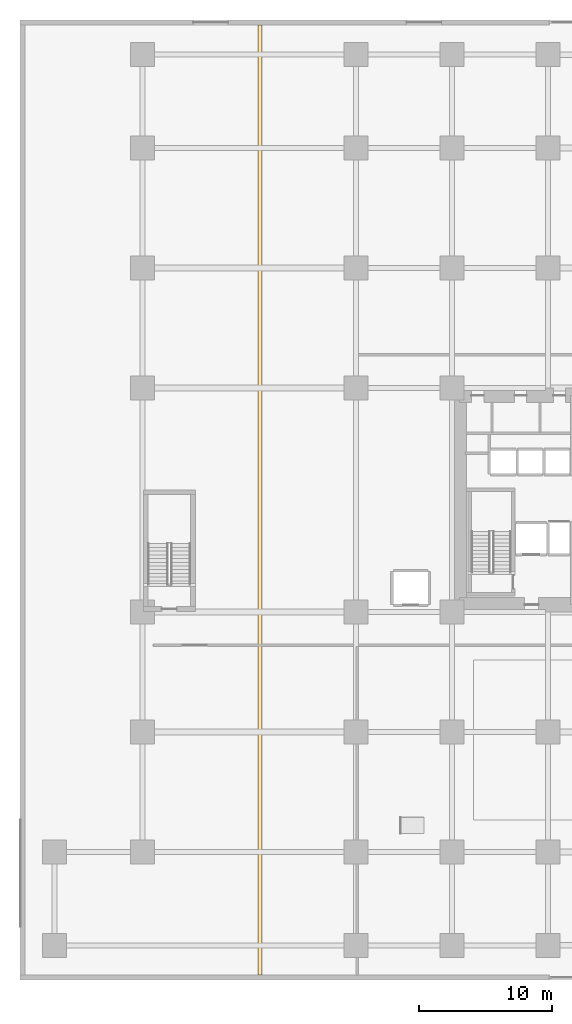
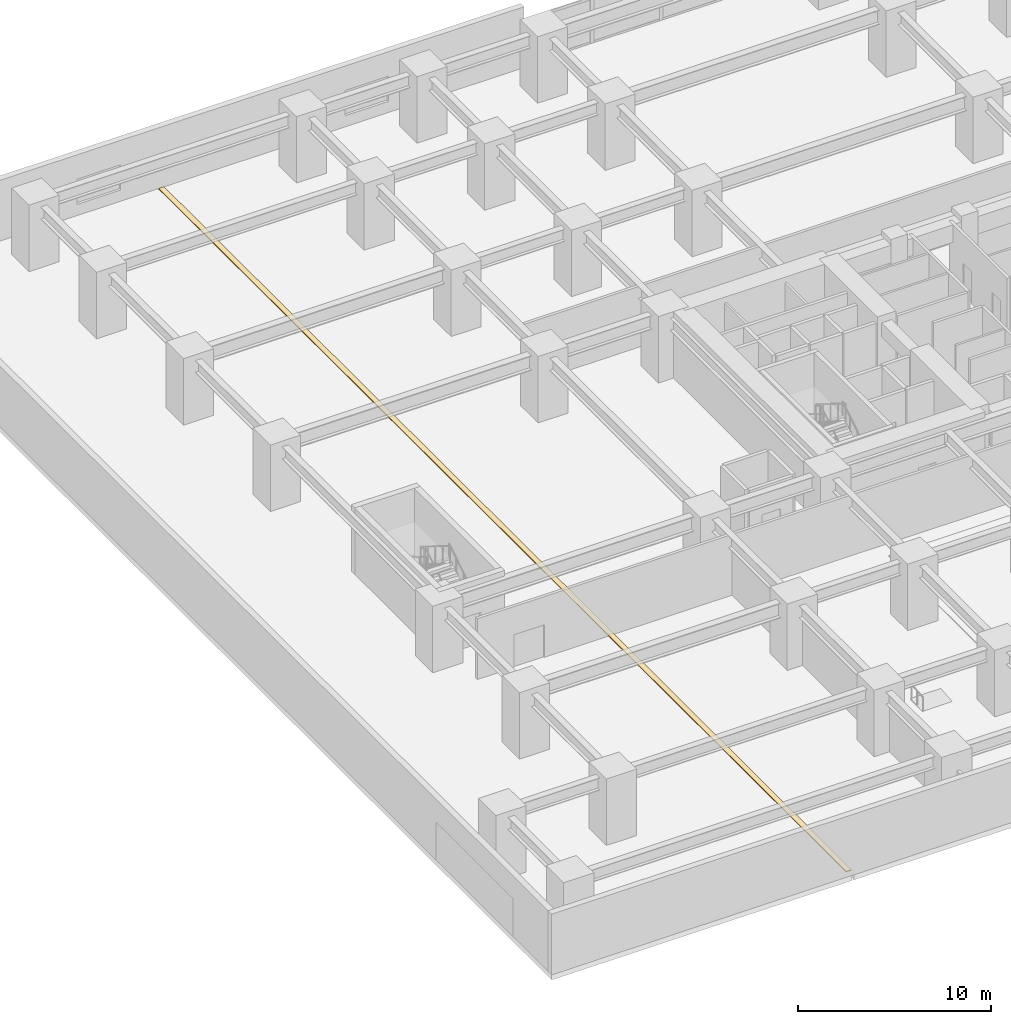
# One storey, part 18 of 22: 1 covering.
"""IFC4 building model written with IfcOpenShell, lengths in metres."""

import ifcopenshell
import ifcopenshell.guid

model = None  # the IFC model being written
_history = None  # IfcOwnerHistory: only IFC2X3 demands one
_inside = {}  # id of a spatial element -> (the spatial element, [elements in it])
_under = {}  # id of a project, library or spatial element -> (it, [spatial elements below it])
_declared = {}  # id of a project -> (the project, [libraries it declares])
_typed = {}  # id of a type object -> (the type object, [elements of that type])
_made_of = {}  # id of a material, layer set ... -> (it, [elements and type objects made of it])


def new_model(schema):
    """Start an empty IFC model of exactly this schema.

    Asked for "IFC4X3", IfcOpenShell would pick the latest addendum, in which some entities
    have other attributes; the version numbers below select the first issue.
    IFC2X3 requires an IfcOwnerHistory on every rooted entity: one is made here for all.
    """
    global model, _history
    if schema == "IFC4X3":
        model = ifcopenshell.file(schema_version=(4, 3, 0, 0))
    else:
        model = ifcopenshell.file(schema=schema)
    _inside.clear()
    _under.clear()
    _declared.clear()
    _typed.clear()
    _made_of.clear()
    _history = None
    if model.schema == "IFC2X3":
        org = make("IfcOrganization", Name="unknown")
        user = make(
            "IfcPersonAndOrganization",
            ThePerson=make("IfcPerson", FamilyName="unknown"),
            TheOrganization=org,
        )
        app = make(
            "IfcApplication",
            ApplicationDeveloper=org,
            Version="unknown",
            ApplicationFullName="unknown",
            ApplicationIdentifier="unknown",
        )
        _history = make(
            "IfcOwnerHistory",
            OwningUser=user,
            OwningApplication=app,
            ChangeAction="ADDED",
            CreationDate=0,
        )
    return model


def make(cls, **values):
    """One entity of the class cls with the attributes given. An attribute that is None is left unset."""
    return model.create_entity(
        cls, **{name: value for name, value in values.items() if value is not None}
    )


def rooted(cls, **values):
    """An entity with a GlobalId (a new one), such as an element, a storey or a relation."""
    return make(cls, GlobalId=ifcopenshell.guid.new(), OwnerHistory=_history, **values)


def si_unit(unit_type, name, prefix=None):
    """IfcSIUnit, for example si_unit("LENGTHUNIT", "METRE", prefix="MILLI")."""
    return make("IfcSIUnit", UnitType=unit_type, Prefix=prefix, Name=name)


def assignment(units):
    """IfcUnitAssignment: the units of a project."""
    return None if units is None else make("IfcUnitAssignment", Units=units)


def point(xyz):
    """IfcCartesianPoint."""
    return None if xyz is None else make("IfcCartesianPoint", Coordinates=xyz)


def direction(xyz):
    """IfcDirection."""
    return None if xyz is None else make("IfcDirection", DirectionRatios=xyz)


def frame(location, z_axis=None, x_axis=None):
    """IfcAxis2Placement3D, a coordinate frame: its origin and axes. An axis left out is left unset."""
    return make(
        "IfcAxis2Placement3D",
        Location=point(location),
        Axis=direction(z_axis),
        RefDirection=direction(x_axis),
    )


def origin():
    """The frame at (0, 0, 0) with its axes left unset."""
    return frame((0.0, 0.0, 0.0))


def place(relative_to, where):
    """IfcLocalPlacement: puts the frame where relative to a parent placement (None: the world)."""
    return make(
        "IfcLocalPlacement", PlacementRelTo=relative_to, RelativePlacement=where
    )


def context(
    kind, dimensions, precision=None, world=None, true_north=None, identifier=None
):
    """IfcGeometricRepresentationContext, for example the 3D "Model" context."""
    return make(
        "IfcGeometricRepresentationContext",
        ContextIdentifier=identifier,
        ContextType=kind,
        CoordinateSpaceDimension=dimensions,
        Precision=precision,
        WorldCoordinateSystem=world,
        TrueNorth=true_north,
    )


def subcontext(parent, identifier, kind, view, scale=None):
    """IfcGeometricRepresentationSubContext, for example "Body" below "Model"."""
    return make(
        "IfcGeometricRepresentationSubContext",
        ContextIdentifier=identifier,
        ContextType=kind,
        ParentContext=parent,
        TargetScale=scale,
        TargetView=view,
    )


def project(units=None, contexts=None):
    """IfcProject with its units and contexts."""
    return rooted(
        "IfcProject",
        Name="project",
        RepresentationContexts=contexts,
        UnitsInContext=assignment(units),
    )


def spatial(cls, under=None, at=None, **own):
    """A site, building, storey or space (cls), placed at a placement, below another one or the project."""
    s = rooted(cls, ObjectPlacement=at, **own)
    if under is not None:
        _under.setdefault(under.id(), (under, []))[1].append(s)
    return s


def polyline(points):
    """IfcPolyline through the points."""
    return make("IfcPolyline", Points=[point(p) for p in points])


def outline(outer, holes=None, kind="AREA"):
    """IfcArbitraryClosedProfileDef: a profile drawn as a closed curve; with holes, ...WithVoids."""
    if holes is None:
        return make("IfcArbitraryClosedProfileDef", ProfileType=kind, OuterCurve=outer)
    return make(
        "IfcArbitraryProfileDefWithVoids",
        ProfileType=kind,
        OuterCurve=outer,
        InnerCurves=holes,
    )


def extrude(swept, where, along, depth):
    """IfcExtrudedAreaSolid: the profile swept, set in the frame where, extruded along a direction by depth."""
    return make(
        "IfcExtrudedAreaSolid",
        SweptArea=swept,
        Position=where,
        ExtrudedDirection=direction(along),
        Depth=depth,
    )


def shape(context_of_items, identifier, shape_type, items):
    """IfcShapeRepresentation: the items that make up one representation, for example the "Body"."""
    return make(
        "IfcShapeRepresentation",
        ContextOfItems=context_of_items,
        RepresentationIdentifier=identifier,
        RepresentationType=shape_type,
        Items=items,
    )


def material(Name=None, Category=None):
    """IfcMaterial."""
    return make("IfcMaterial", Name=Name, Category=Category)


def layer(
    of_material, thickness, ventilated=None, Name=None, Category=None, Priority=None
):
    """IfcMaterialLayer: one layer of a wall or slab, of a material (None: an air gap)."""
    return make(
        "IfcMaterialLayer",
        Material=of_material,
        LayerThickness=thickness,
        IsVentilated=ventilated,
        Name=Name,
        Category=Category,
        Priority=Priority,
    )


def layer_set(layers, Name=None):
    """IfcMaterialLayerSet."""
    return make("IfcMaterialLayerSet", MaterialLayers=layers, LayerSetName=Name)


def made_of(thing, what):
    """Note that an element or type object is made of a material, layer set ...; save() writes the relation."""
    if what is not None:
        _made_of.setdefault(what.id(), (what, []))[1].append(thing)
    return thing


def type_object(cls, material=None, **own):
    """A type object (cls), such as IfcWallType, which elements share."""
    return made_of(rooted(cls, **own), material)


def element(
    cls,
    number,
    at=None,
    inside=None,
    cuts=None,
    type_object=None,
    material=None,
    context=None,
    identifier="Body",
    shape_type=None,
    held_by="IfcProductDefinitionShape",
    body=None,
    shapes=None,
    **own,
):
    """One element of the class cls, such as IfcWall. Its Tag is "e" and its number.

    at: its placement. inside: the storey or other place that contains it. cuts: it is an
    opening in that element (IfcRelVoidsElement). A single representation is given by context,
    identifier, shape_type and body (its items); several are given by shapes. held_by: the class
    of the entity that holds the representations. save() writes the other relations.
    """
    e = rooted(cls, Tag="e%d" % number, ObjectPlacement=at, **own)
    if body is not None:
        shapes = [shape(context, identifier, shape_type, body)]
    if shapes is not None:
        e.Representation = make(held_by, Representations=shapes)
    if inside is not None:
        _inside.setdefault(inside.id(), (inside, []))[1].append(e)
    if cuts is not None:
        rooted(
            "IfcRelVoidsElement", RelatingBuildingElement=cuts, RelatedOpeningElement=e
        )
    if type_object is not None:
        _typed.setdefault(type_object.id(), (type_object, []))[1].append(e)
    return made_of(e, material)


def aggregate(whole, parts):
    """IfcRelAggregates: a whole, such as a stair, and the parts it consists of."""
    return rooted("IfcRelAggregates", RelatingObject=whole, RelatedObjects=parts)


def save(model, path):
    """Write the relations noted so far, then the file.

    IfcRelAggregates (storeys below a building ...), IfcRelContainedInSpatialStructure (elements
    in a storey), IfcRelDefinesByType, IfcRelAssociatesMaterial and IfcRelDeclares: one each for
    every whole, place, type object, material and project.
    """
    for whole, parts in _under.values():
        aggregate(whole, parts)
    for where, things in _inside.values():
        rooted(
            "IfcRelContainedInSpatialStructure",
            RelatedElements=things,
            RelatingStructure=where,
        )
    for kind, things in _typed.values():
        rooted("IfcRelDefinesByType", RelatedObjects=things, RelatingType=kind)
    for what, things in _made_of.values():
        rooted("IfcRelAssociatesMaterial", RelatedObjects=things, RelatingMaterial=what)
    for by, libraries in _declared.values():
        rooted("IfcRelDeclares", RelatingContext=by, RelatedDefinitions=libraries)
    model.write(path)


model = new_model("IFC4")

# Units and contexts
model_context = context("Model", 3, precision=1e-05, world=origin(), true_north=direction((0.0, 1.0)))
body_context = subcontext(model_context, "Body", "Model", "MODEL_VIEW")
ifc_project = project(units=[si_unit("LENGTHUNIT", "METRE"), si_unit("AREAUNIT", "SQUARE_METRE"), si_unit("VOLUMEUNIT", "CUBIC_METRE"), si_unit("PLANEANGLEUNIT", "RADIAN"), si_unit("MASSUNIT", "GRAM", prefix="KILO")], contexts=[model_context])

# Site, building, storey
site_placement = place(None, origin())
site = spatial("IfcSite", under=ifc_project, at=site_placement, CompositionType="ELEMENT")
building_placement = place(site_placement, origin())
building = spatial("IfcBuilding", under=site, at=building_placement, Name="Kiyonajd Concourse Tower", CompositionType="ELEMENT")
storey_placement = place(building_placement, frame((0.0, 0.0, 12.89990234375)))
storey = spatial("IfcBuildingStorey", under=building, at=storey_placement, Name="L04", CompositionType="ELEMENT", Elevation=12.89990234375)

# Covering
ifc_material = material(Name="Riyadh Jubaila Limestone", Category="masonry")
ifc_layer = layer(ifc_material, 0.050048828125)
ifc_layer_set = layer_set([ifc_layer], Name="Riyadh Jubaila Limestone")
covering_type = type_object("IfcCoveringType", Name="CV-FLR-RAISED", PredefinedType="FLOORING", material=ifc_layer_set)
covering_placement = place(storey_placement, origin())
element("IfcCovering", 1, at=covering_placement, inside=storey, type_object=covering_type, Name="L04 Seismic Movement Joint MJ1 Floor Cover Assembly", PredefinedType="FLOORING", context=body_context, shape_type="SweptSolid", body=[
    extrude(outline(polyline([(17.840087890625, 0.39990234375), (18.159912109375, 0.39990234375), (18.159912109375, 71.60009765625), (17.840087890625, 71.60009765625), (17.840087890625, 0.39990234375)])), origin(), (0.0, 0.0, 1.0), 0.050048828125),
])

save(model, "model.ifc")
